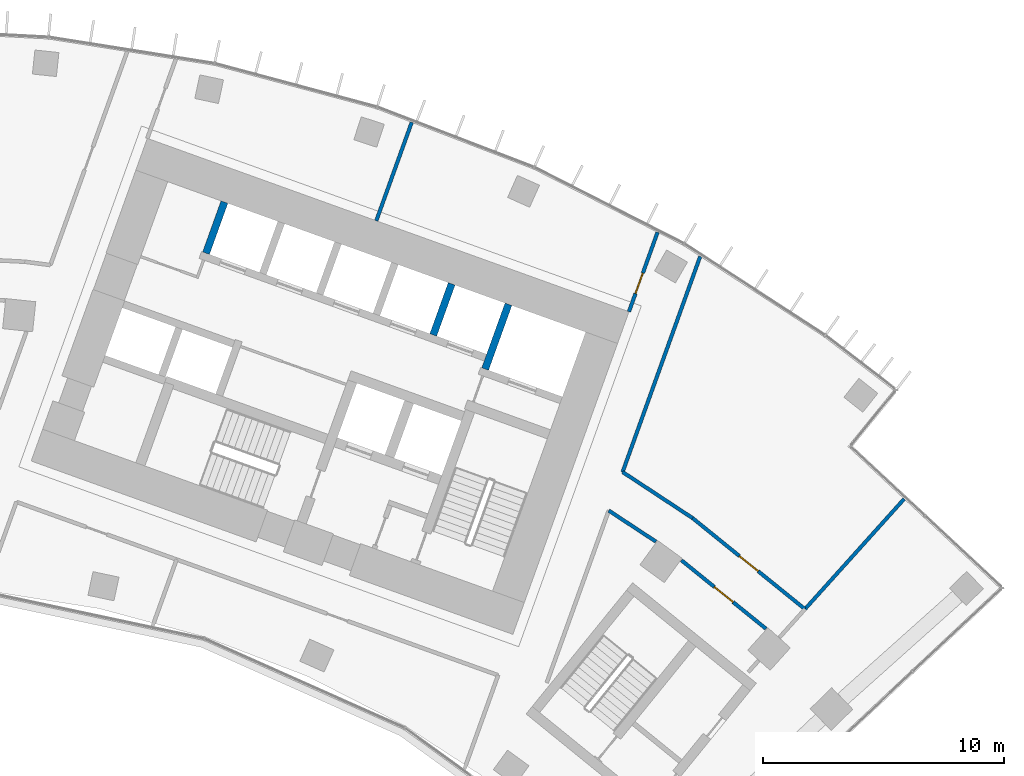
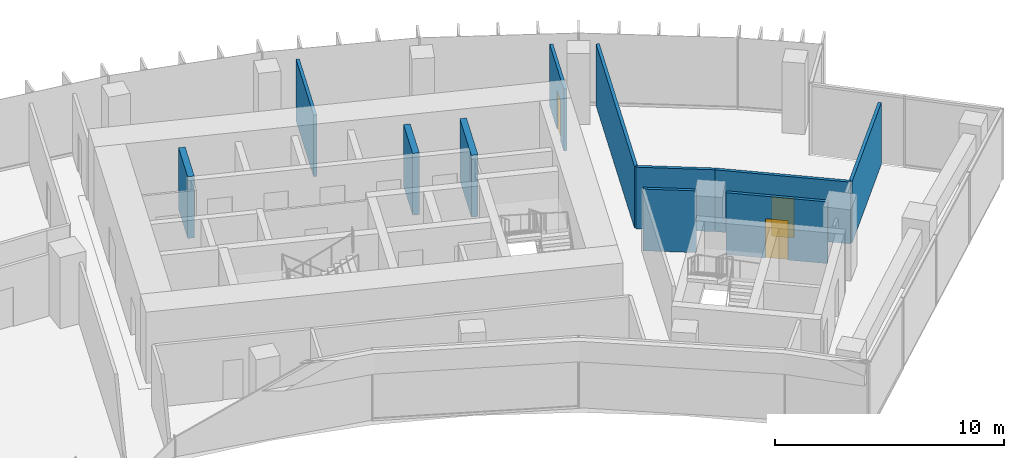
# One storey, part 18 of 21: 11 walls, 3 doors, 3 openings.
"""IFC4 building model written with IfcOpenShell, lengths in metres."""

from ifc_helpers import new_model, si_unit, direction, frame, frame_2d, origin, place, context, subcontext, project, spatial, rectangle, extrude, material, layer, layer_set, type_object, element, fill, save


model = new_model("IFC4")

# Units and contexts
model_context = context("Model", 3, precision=1e-05, world=origin(), true_north=direction((0.0, 1.0)))
body_context = subcontext(model_context, "Body", "Model", "MODEL_VIEW")
ifc_project = project(units=[si_unit("LENGTHUNIT", "METRE"), si_unit("AREAUNIT", "SQUARE_METRE"), si_unit("VOLUMEUNIT", "CUBIC_METRE"), si_unit("PLANEANGLEUNIT", "RADIAN"), si_unit("MASSUNIT", "GRAM", prefix="KILO")], contexts=[model_context])

# Site, building, storey
site_placement = place(None, origin())
site = spatial("IfcSite", under=ifc_project, at=site_placement, CompositionType="ELEMENT")
building_placement = place(site_placement, origin())
building = spatial("IfcBuilding", under=site, at=building_placement, Name="Stone Belt Terrace Tower", CompositionType="ELEMENT")
storey_placement = place(building_placement, frame((0.0, 0.0, 189.60009765625)))
storey = spatial("IfcBuildingStorey", under=building, at=storey_placement, Name="L46", CompositionType="ELEMENT", Elevation=189.60009765625)

# Walls
ifc_material_1 = material(Name="Concrete B80", Category="concrete")
ifc_layer_1 = layer(ifc_material_1, 0.300048828125)
ifc_layer_set_1 = layer_set([ifc_layer_1], Name="Lift shaft wall 300")
wall_type_1 = type_object("IfcWallType", Name="Lift shaft wall 300", PredefinedType="SHEAR", material=ifc_layer_set_1)
wall_1_placement = place(storey_placement, frame((25.046875, 52.46826171875, 0.0), z_axis=(0.0, 0.0, 1.0), x_axis=(0.338549588058, 0.940948551423, 0.0)))
element("IfcWall", 1, at=wall_1_placement, inside=storey, type_object=wall_type_1, Name="Core B wall", PredefinedType="SHEAR", context=body_context, shape_type="SweptSolid", body=[
    extrude(rectangle(XDim=2.849853515625, YDim=0.300048828125, at=frame_2d((1.4248046875, 0.0))), origin(), (0.0, 0.0, 1.0), 3.2998046875),
])
wall_2_placement = place(storey_placement, frame((22.897705078125, 53.87939453125, 0.0), z_axis=(0.0, 0.0, 1.0), x_axis=(0.338535034312, 0.940953787677, 0.0)))
element("IfcWall", 2, at=wall_2_placement, inside=storey, type_object=wall_type_1, Name="Core B wall", PredefinedType="SHEAR", context=body_context, shape_type="SweptSolid", body=[
    extrude(rectangle(XDim=2.25, YDim=0.300048828125, at=frame_2d((1.125, 0.0))), origin(), (0.0, 0.0, 1.0), 3.2998046875),
])
wall_3_placement = place(storey_placement, frame((13.48828125, 57.265625, 0.0), z_axis=(0.0, 0.0, 1.0), x_axis=(0.338631098537, 0.940919220286, 0.0)))
element("IfcWall", 3, at=wall_3_placement, inside=storey, type_object=wall_type_1, Name="Core B wall", PredefinedType="SHEAR", context=body_context, shape_type="SweptSolid", body=[
    extrude(rectangle(XDim=2.250244140625, YDim=0.300048828125, at=frame_2d((1.125, 0.0))), origin(), (0.0, 0.0, 1.0), 3.2998046875),
])

# Wall, opening, door
ifc_material_2 = material(Name="Gypsum board partition")
ifc_layer_2 = layer(ifc_material_2, 0.14990234375)
ifc_layer_set_2 = layer_set([ifc_layer_2], Name="PARTITION 150 EI 60")
wall_type_2 = type_object("IfcWallType", Name="PARTITION 150 EI 60", PredefinedType="PARTITIONING", material=ifc_layer_set_2)
wall_4_placement = place(storey_placement, frame((31.001953125, 54.842041015625, 0.0), z_axis=(0.0, 0.0, 1.0), x_axis=(0.338662585219, 0.940907887826, 0.0)))
wall_4 = element("IfcWall", 4, at=wall_4_placement, inside=storey, type_object=wall_type_2, Name="L46/wall/i021", PredefinedType="PARTITIONING", context=body_context, shape_type="SweptSolid", body=[
    extrude(rectangle(XDim=3.49560546875, YDim=0.14990234375, at=frame_2d((1.747802734375, 0.0))), origin(), (0.0, 0.0, 1.0), 3.2998046875),
])
opening_1_placement = place(wall_4_placement, frame((0.798828125, 0.0, 0.0)))
opening_1 = element("IfcOpeningElement", 5, at=opening_1_placement, cuts=wall_4, Name="Opening D-C5-08", PredefinedType="OPENING", context=body_context, shape_type="SweptSolid", body=[
    extrude(rectangle(XDim=0.89990234375, YDim=2.10009765625, at=frame_2d((0.449951171875, 1.050048828125))), frame((0.0, 0.0849609375, 0.0), z_axis=(0.0, -1.0, 0.0), x_axis=(1.0, 0.0, 0.0)), (0.0, 0.0, 1.0), 0.169921875),
])
ifc_material_3 = material(Name="Timber door leaf", Category="wood")
door_type_1 = type_object("IfcDoorType", Name="OFFICE DOOR 900 X 2100", OperationType="NOTDEFINED", PredefinedType="DOOR", material=ifc_material_3)
door_1_placement = place(opening_1_placement, origin())
door_1 = element("IfcDoor", 6, at=door_1_placement, inside=storey, type_object=door_type_1, Name="L46/door/i08", OperationType="SINGLE_SWING_LEFT", OverallHeight=2.10009765625, OverallWidth=0.89990234375, PredefinedType="DOOR", context=body_context, shape_type="SweptSolid", body=[
    extrude(rectangle(XDim=0.89990234375, YDim=2.10009765625, at=frame_2d((0.449951171875, 1.050048828125))), frame((0.0, 0.02490234375, 0.0), z_axis=(0.0, -1.0, 0.0), x_axis=(1.0, 0.0, 0.0)), (0.0, 0.0, 1.0), 0.050048828125),
])
fill(opening_1, door_1)

# Walls
wall_5_placement = place(storey_placement, frame((33.951904296875, 57.131103515625, 0.0), z_axis=(0.0, 0.0, 1.0), x_axis=(-0.338586530295, -0.940935258933, 0.0)))
element("IfcWall", 7, at=wall_5_placement, inside=storey, type_object=wall_type_2, Name="L46/wall/i024", PredefinedType="PARTITIONING", context=body_context, shape_type="SweptSolid", body=[
    extrude(rectangle(XDim=9.494873046875, YDim=0.14990234375, at=frame_2d((4.74755859375, 0.0))), origin(), (0.0, 0.0, 1.0), 3.2998046875),
])
wall_6_placement = place(storey_placement, frame((22.005859375, 62.68603515625, 0.0), z_axis=(0.0, 0.0, 1.0), x_axis=(-0.338647660264, -0.940913259657, 0.0)))
element("IfcWall", 8, at=wall_6_placement, inside=storey, type_object=wall_type_2, Name="L46/wall/i028", PredefinedType="PARTITIONING", context=body_context, shape_type="SweptSolid", body=[
    extrude(rectangle(XDim=4.334228515625, YDim=0.14990234375, at=frame_2d((2.1669921875, 0.0))), origin(), (0.0, 0.0, 1.0), 3.2998046875),
])
wall_7_placement = place(storey_placement, frame((38.287109375, 42.52099609375, 0.0), z_axis=(0.0, 0.0, 1.0), x_axis=(0.669070076375, 0.743199322457, 0.0)))
element("IfcWall", 9, at=wall_7_placement, inside=storey, type_object=wall_type_2, Name="L46/wall/i053", PredefinedType="PARTITIONING", context=body_context, shape_type="SweptSolid", body=[
    extrude(rectangle(XDim=6.1455078125, YDim=0.14990234375, at=frame_2d((3.07275390625, 0.0))), origin(), (0.0, 0.0, 1.0), 3.2998046875),
])

# Wall, opening, door
wall_8_placement = place(storey_placement, frame((36.677001953125, 41.712890625, 0.0), z_axis=(0.0, 0.0, 1.0), x_axis=(-0.777148951547, 0.629316698578, 0.0)))
wall_8 = element("IfcWall", 10, at=wall_8_placement, inside=storey, type_object=wall_type_2, Name="L46/wall/i054", PredefinedType="PARTITIONING", context=body_context, shape_type="SweptSolid", body=[
    extrude(rectangle(XDim=4.505126953125, YDim=0.14990234375, at=frame_2d((2.25244140625, 0.0))), origin(), (0.0, 0.0, 1.0), 3.2998046875),
])
opening_2_placement = place(wall_8_placement, frame((1.752685546875, 0.0, 0.0)))
opening_2 = element("IfcOpeningElement", 11, at=opening_2_placement, cuts=wall_8, Name="Opening D-C5-17", PredefinedType="OPENING", context=body_context, shape_type="SweptSolid", body=[
    extrude(rectangle(XDim=1.0, YDim=2.10009765625, at=frame_2d((0.5, 1.050048828125))), frame((0.0, 0.0849609375, 0.0), z_axis=(0.0, -1.0, 0.0), x_axis=(1.0, 0.0, 0.0)), (0.0, 0.0, 1.0), 0.169921875),
])
ifc_material_4 = material(Name="Timber fire door leaf", Category="wood")
door_type_2 = type_object("IfcDoorType", Name="TENANCY ENTRANCE DOOR 1000 X 2100", OperationType="NOTDEFINED", PredefinedType="DOOR", material=ifc_material_4)
door_2_placement = place(opening_2_placement, origin())
door_2 = element("IfcDoor", 12, at=door_2_placement, inside=storey, type_object=door_type_2, Name="L46/door/i17", OperationType="SINGLE_SWING_RIGHT", OverallHeight=2.10009765625, OverallWidth=1.0, PredefinedType="DOOR", context=body_context, shape_type="SweptSolid", body=[
    extrude(rectangle(XDim=1.0, YDim=2.10009765625, at=frame_2d((0.5, 1.050048828125))), frame((0.0, 0.02490234375, 0.0), z_axis=(0.0, -1.0, 0.0), x_axis=(1.0, 0.0, 0.0)), (0.0, 0.0, 1.0), 0.050048828125),
])
fill(opening_2, door_2)

# Walls
wall_9_placement = place(storey_placement, frame((32.1181640625, 45.3212890625, 0.0), z_axis=(0.0, 0.0, 1.0), x_axis=(-0.835406992815, 0.549631837102, 0.0)))
element("IfcWall", 13, at=wall_9_placement, inside=storey, type_object=wall_type_2, Name="L46/wall/i055", PredefinedType="PARTITIONING", context=body_context, shape_type="SweptSolid", body=[
    extrude(rectangle(XDim=2.339111328125, YDim=0.14990234375, at=frame_2d((1.16943359375, 0.0))), origin(), (0.0, 0.0, 1.0), 3.2998046875),
])
wall_10_placement = place(storey_placement, frame((30.739013671875, 48.202880859375, 0.0), z_axis=(0.0, 0.0, 1.0), x_axis=(0.835274160171, -0.549833681535, 0.0)))
element("IfcWall", 14, at=wall_10_placement, inside=storey, type_object=wall_type_2, Name="L46/wall/i056", PredefinedType="PARTITIONING", context=body_context, shape_type="SweptSolid", body=[
    extrude(rectangle(XDim=3.46826171875, YDim=0.14990234375, at=frame_2d((1.734130859375, 0.0))), origin(), (0.0, 0.0, 1.0), 3.2998046875),
])

# Wall, opening, door
wall_11_placement = place(storey_placement, frame((33.635986328125, 46.2958984375, 0.0), z_axis=(0.0, 0.0, 1.0), x_axis=(0.777109127033, -0.629365875054, 0.0)))
wall_11 = element("IfcWall", 15, at=wall_11_placement, inside=storey, type_object=wall_type_2, Name="L46/wall/i057", PredefinedType="PARTITIONING", context=body_context, shape_type="SweptSolid", body=[
    extrude(rectangle(XDim=5.990234375, YDim=0.14990234375, at=frame_2d((2.9951171875, 0.0))), origin(), (0.0, 0.0, 1.0), 3.2998046875),
])
opening_3_placement = place(wall_11_placement, frame((2.4951171875, 0.0, 0.0)))
opening_3 = element("IfcOpeningElement", 16, at=opening_3_placement, cuts=wall_11, Name="Opening D-C5-18", PredefinedType="OPENING", context=body_context, shape_type="SweptSolid", body=[
    extrude(rectangle(XDim=1.0, YDim=2.10009765625, at=frame_2d((0.5, 1.050048828125))), frame((0.0, 0.0849609375, 0.0), z_axis=(0.0, -1.0, 0.0), x_axis=(1.0, 0.0, 0.0)), (0.0, 0.0, 1.0), 0.169921875),
])
door_3_placement = place(opening_3_placement, origin())
door_3 = element("IfcDoor", 17, at=door_3_placement, inside=storey, type_object=door_type_2, Name="L46/door/i18", OperationType="SINGLE_SWING_RIGHT", OverallHeight=2.10009765625, OverallWidth=1.0, PredefinedType="DOOR", context=body_context, shape_type="SweptSolid", body=[
    extrude(rectangle(XDim=1.0, YDim=2.10009765625, at=frame_2d((0.5, 1.050048828125))), frame((0.0, 0.02490234375, 0.0), z_axis=(0.0, -1.0, 0.0), x_axis=(1.0, 0.0, 0.0)), (0.0, 0.0, 1.0), 0.050048828125),
])
fill(opening_3, door_3)

save(model, "model.ifc")
